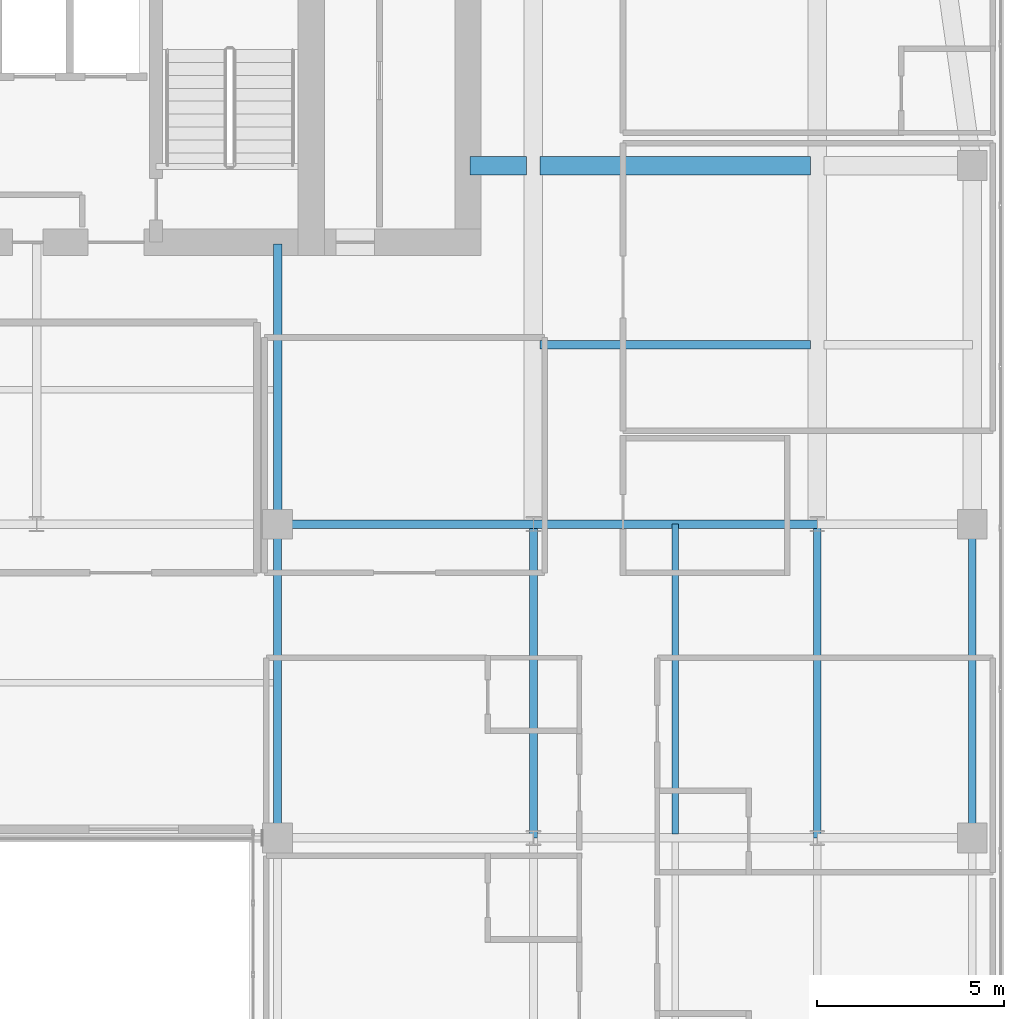
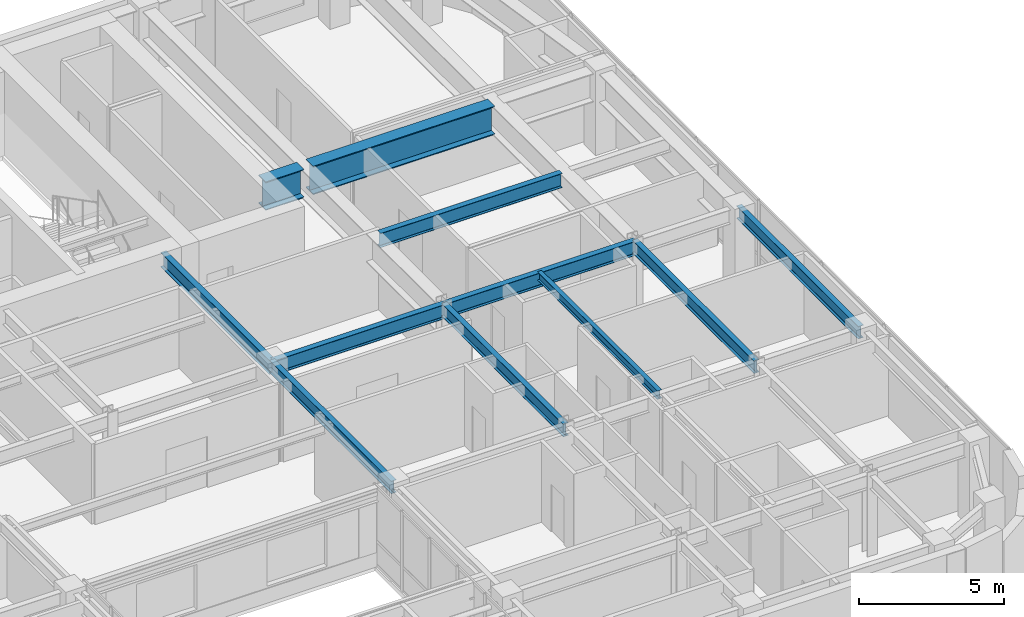
# One storey, part 9 of 26: 11 beams.
"""IFC4 building model written with IfcOpenShell, lengths in metres."""

from ifc_helpers import new_model, si_unit, direction, frame, origin, origin_2d, place, context, subcontext, project, spatial, i_section, extrude, source, transform, mapped, material, material_profile, profile_set, type_object, type_shapes, element, save


model = new_model("IFC4")

# Units and contexts
model_context = context("Model", 3, precision=1e-05, world=origin(), true_north=direction((0.0, 1.0)))
body_context = subcontext(model_context, "Body", "Model", "MODEL_VIEW")
ifc_project = project(units=[si_unit("LENGTHUNIT", "METRE"), si_unit("AREAUNIT", "SQUARE_METRE"), si_unit("VOLUMEUNIT", "CUBIC_METRE"), si_unit("PLANEANGLEUNIT", "RADIAN"), si_unit("MASSUNIT", "GRAM", prefix="KILO")], contexts=[model_context])

# Site, building, storey
site_placement = place(None, origin())
site = spatial("IfcSite", under=ifc_project, at=site_placement, CompositionType="ELEMENT")
building_placement = place(site_placement, origin())
building = spatial("IfcBuilding", under=site, at=building_placement, Name="Tolvann Quenvar Hotel", CompositionType="ELEMENT")
storey_placement = place(building_placement, frame((0.0, 0.0, 168.35009765625)))
storey = spatial("IfcBuildingStorey", under=building, at=storey_placement, Name="L44", CompositionType="ELEMENT", Elevation=168.35009765625)

# Beams
ifc_material = material(Name="Steel Grade 350", Category="steel")
ifc_material_profile_1 = material_profile(ifc_material, i_section(OverallWidth=0.208984375, OverallDepth=0.528076171875, WebThickness=0.009521484375, FlangeThickness=0.01318359375, FilletRadius=0.013916015625, at=origin_2d()), Name="530UB82")
ifc_profile_set_1 = profile_set([ifc_material_profile_1], Name="Steel Grade 350")
beam_type_1 = type_object("IfcBeamType", Name="BM_SPAND_530UB82", PredefinedType="SPANDREL", material=ifc_profile_set_1)
shared_shape_1 = source(origin(), body_context, "Body", "SweptSolid", [
    extrude(i_section(OverallWidth=0.208984375, OverallDepth=0.528076171875, WebThickness=0.009521484375, FlangeThickness=0.01318359375, FilletRadius=0.013916015625, at=origin_2d()), origin(), (0.0, 0.0, 1.0), 8.39990234375),
])
type_shapes(beam_type_1, [shared_shape_1])
beam_1_placement = place(storey_placement, frame((53.550048828125, 16.0, 3.10595703125), z_axis=(0.0, 1.0, 0.0), x_axis=(-1.0, 0.0, 0.0)))
element("IfcBeam", 1, at=beam_1_placement, inside=storey, type_object=beam_type_1, Name="BM-L44-NS-J4-J5", PredefinedType="SPANDREL", context=body_context, shape_type="MappedRepresentation", body=[
    mapped(shared_shape_1, transform((0.0, 0.0, 0.0), x_axis=(1.0, 0.0, 0.0), y_axis=(0.0, 1.0, 0.0), z_axis=(0.0, 0.0, 1.0), scale=1.0)),
])
ifc_material_profile_2 = material_profile(ifc_material, i_section(OverallWidth=0.208984375, OverallDepth=0.532958984375, WebThickness=0.01025390625, FlangeThickness=0.015625, FilletRadius=0.013916015625, at=origin_2d()), Name="530UB92")
ifc_profile_set_2 = profile_set([ifc_material_profile_2], Name="Steel Grade 350")
beam_type_2 = type_object("IfcBeamType", Name="BM_GIRD_530UB92", PredefinedType="BEAM", material=ifc_profile_set_2)
shared_shape_2 = source(origin(), body_context, "Body", "SweptSolid", [
    extrude(i_section(OverallWidth=0.208984375, OverallDepth=0.532958984375, WebThickness=0.01025390625, FlangeThickness=0.015625, FilletRadius=0.013916015625, at=origin_2d()), origin(), (0.0, 0.0, 1.0), 8.39990234375),
])
type_shapes(beam_type_2, [shared_shape_2])
for number, where, z_axis, x_axis, name in (
    (2, (34.949951171875, 16.0, 3.103515625), (0.0, 1.0, 0.0), (-1.0, 0.0, 0.0), "BM-L44-NS-F4-F5"),
    (3, (41.800048828125, 16.0, 3.103515625), (0.0, 1.0, 0.0), (-1.0, 0.0, 0.0), "BM-L44-NS-H4-H5"),
    (4, (49.39990234375, 16.0, 3.103515625), (0.0, 1.0, 0.0), (-1.0, 0.0, 0.0), "BM-L44-NS-I4-I5"),
):
    element("IfcBeam", number, at=place(storey_placement, frame(where, z_axis=z_axis, x_axis=x_axis)), inside=storey, type_object=beam_type_2, Name=name, PredefinedType="BEAM", context=body_context, shape_type="MappedRepresentation", body=[
        mapped(shared_shape_2, transform((0.0, 0.0, 0.0), x_axis=(1.0, 0.0, 0.0), y_axis=(0.0, 1.0, 0.0), z_axis=(0.0, 0.0, 1.0), scale=1.0)),
    ])
ifc_material_profile_3 = material_profile(ifc_material, i_section(OverallWidth=0.5, OverallDepth=1.199951171875, WebThickness=0.01611328125, FlangeThickness=0.0400390625, at=origin_2d()), Name="1200WB455")
ifc_profile_set_3 = profile_set([ifc_material_profile_3], Name="Steel Grade 350")
beam_type_3 = type_object("IfcBeamType", Name="BM_TG_1200WB455", PredefinedType="USERDEFINED", material=ifc_profile_set_3)
shared_shape_3 = source(origin(), body_context, "Body", "SweptSolid", [
    extrude(i_section(OverallWidth=0.5, OverallDepth=1.199951171875, WebThickness=0.01611328125, FlangeThickness=0.0400390625, at=origin_2d()), origin(), (0.0, 0.0, 1.0), 1.52001953125),
])
beam_2_placement = place(storey_placement, frame((40.10009765625, 34.0, 2.77001953125), z_axis=(1.0, 0.0, 0.0), x_axis=(0.0, 1.0, 0.0)))
element("IfcBeam", 5, at=beam_2_placement, inside=storey, type_object=beam_type_3, Name="BM-L44-CTE-JD6A", ObjectType="TRANSFER GIRDER", PredefinedType="USERDEFINED", context=body_context, shape_type="MappedRepresentation", body=[
    mapped(shared_shape_3, transform((0.0, 0.0, 0.0), x_axis=(1.0, 0.0, 0.0), y_axis=(0.0, 1.0, 0.0), z_axis=(0.0, 0.0, 1.0), scale=1.0)),
])
shared_shape_4 = source(origin(), body_context, "Body", "SweptSolid", [
    extrude(i_section(OverallWidth=0.5, OverallDepth=1.199951171875, WebThickness=0.01611328125, FlangeThickness=0.0400390625, at=origin_2d()), origin(), (0.0, 0.0, 1.0), 7.239990234375),
])
type_shapes(beam_type_3, [shared_shape_3, shared_shape_4])
beam_3_placement = place(storey_placement, frame((41.97998046875, 34.0, 2.77001953125), z_axis=(1.0, 0.0, 0.0), x_axis=(0.0, 1.0, 0.0)))
element("IfcBeam", 6, at=beam_3_placement, inside=storey, type_object=beam_type_3, Name="BM-L44-CTE-JD6B", ObjectType="TRANSFER GIRDER", PredefinedType="USERDEFINED", context=body_context, shape_type="MappedRepresentation", body=[
    mapped(shared_shape_4, transform((0.0, 0.0, 0.0), x_axis=(1.0, 0.0, 0.0), y_axis=(0.0, 1.0, 0.0), z_axis=(0.0, 0.0, 1.0), scale=1.0)),
])
ifc_material_profile_4 = material_profile(ifc_material, i_section(OverallWidth=0.22802734375, OverallDepth=0.60205078125, WebThickness=0.010498046875, FlangeThickness=0.014892578125, FilletRadius=0.013916015625, at=origin_2d()), Name="610UB101")
ifc_profile_set_4 = profile_set([ifc_material_profile_4], Name="Steel Grade 350")
beam_type_4 = type_object("IfcBeamType", Name="BM_GIRD_610UB101", PredefinedType="BEAM", material=ifc_profile_set_4)
shared_shape_5 = source(origin(), body_context, "Body", "SweptSolid", [
    extrude(i_section(OverallWidth=0.22802734375, OverallDepth=0.60205078125, WebThickness=0.010498046875, FlangeThickness=0.014892578125, FilletRadius=0.013916015625, at=origin_2d()), origin(), (0.0, 0.0, 1.0), 7.599853515625),
])
beam_4_placement = place(storey_placement, frame((41.800048828125, 24.39990234375, 3.06884765625), z_axis=(1.0, 0.0, 0.0), x_axis=(0.0, 1.0, 0.0)))
element("IfcBeam", 7, at=beam_4_placement, inside=storey, type_object=beam_type_4, Name="BM-L44-EW-5-H5-I5", PredefinedType="BEAM", context=body_context, shape_type="MappedRepresentation", body=[
    mapped(shared_shape_5, transform((0.0, 0.0, 0.0), x_axis=(1.0, 0.0, 0.0), y_axis=(0.0, 1.0, 0.0), z_axis=(0.0, 0.0, 1.0), scale=1.0)),
])
shared_shape_6 = source(origin(), body_context, "Body", "SweptSolid", [
    extrude(i_section(OverallWidth=0.22802734375, OverallDepth=0.60205078125, WebThickness=0.010498046875, FlangeThickness=0.014892578125, FilletRadius=0.013916015625, at=origin_2d()), origin(), (0.0, 0.0, 1.0), 6.85009765625),
])
beam_5_placement = place(storey_placement, frame((34.949951171875, 24.39990234375, 3.06884765625), z_axis=(1.0, 0.0, 0.0), x_axis=(0.0, 1.0, 0.0)))
element("IfcBeam", 8, at=beam_5_placement, inside=storey, type_object=beam_type_4, Name="BM-L44-EW-5-F5-H5", PredefinedType="BEAM", context=body_context, shape_type="MappedRepresentation", body=[
    mapped(shared_shape_6, transform((0.0, 0.0, 0.0), x_axis=(1.0, 0.0, 0.0), y_axis=(0.0, 1.0, 0.0), z_axis=(0.0, 0.0, 1.0), scale=1.0)),
])
shared_shape_7 = source(origin(), body_context, "Body", "SweptSolid", [
    extrude(i_section(OverallWidth=0.22802734375, OverallDepth=0.60205078125, WebThickness=0.010498046875, FlangeThickness=0.014892578125, FilletRadius=0.013916015625, at=origin_2d()), origin(), (0.0, 0.0, 1.0), 7.5),
])
beam_6_placement = place(storey_placement, frame((34.949951171875, 24.39990234375, 3.06884765625), z_axis=(0.0, 1.0, 0.0), x_axis=(-1.0, 0.0, 0.0)))
element("IfcBeam", 9, at=beam_6_placement, inside=storey, type_object=beam_type_4, Name="BM-L44-CORE-F5", PredefinedType="BEAM", context=body_context, shape_type="MappedRepresentation", body=[
    mapped(shared_shape_7, transform((0.0, 0.0, 0.0), x_axis=(1.0, 0.0, 0.0), y_axis=(0.0, 1.0, 0.0), z_axis=(0.0, 0.0, 1.0), scale=1.0)),
])
shared_shape_8 = source(origin(), body_context, "Body", "SweptSolid", [
    extrude(i_section(OverallWidth=0.22802734375, OverallDepth=0.60205078125, WebThickness=0.010498046875, FlangeThickness=0.014892578125, FilletRadius=0.013916015625, at=origin_2d()), origin(), (0.0, 0.0, 1.0), 7.239990234375),
])
type_shapes(beam_type_4, [shared_shape_5, shared_shape_6, shared_shape_7, shared_shape_8])
beam_7_placement = place(storey_placement, frame((41.97998046875, 29.199951171875, 3.06884765625), z_axis=(1.0, 0.0, 0.0), x_axis=(0.0, 1.0, 0.0)))
element("IfcBeam", 10, at=beam_7_placement, inside=storey, type_object=beam_type_4, Name="BM-L44-EW-HI29", PredefinedType="BEAM", context=body_context, shape_type="MappedRepresentation", body=[
    mapped(shared_shape_8, transform((0.0, 0.0, 0.0), x_axis=(1.0, 0.0, 0.0), y_axis=(0.0, 1.0, 0.0), z_axis=(0.0, 0.0, 1.0), scale=1.0)),
])
ifc_material_profile_5 = material_profile(ifc_material, i_section(OverallWidth=0.172119140625, OverallDepth=0.35888671875, WebThickness=0.008056640625, FlangeThickness=0.012939453125, FilletRadius=0.011474609375, at=origin_2d()), Name="360UB57")
ifc_profile_set_5 = profile_set([ifc_material_profile_5], Name="Steel Grade 350")
beam_type_5 = type_object("IfcBeamType", Name="BM_JOIST_360UB57", PredefinedType="JOIST", material=ifc_profile_set_5)
shared_shape_9 = source(origin(), body_context, "Body", "SweptSolid", [
    extrude(i_section(OverallWidth=0.172119140625, OverallDepth=0.35888671875, WebThickness=0.008056640625, FlangeThickness=0.012939453125, FilletRadius=0.011474609375, at=origin_2d()), origin(), (0.0, 0.0, 1.0), 8.2919921875),
])
type_shapes(beam_type_5, [shared_shape_9])
beam_8_placement = place(storey_placement, frame((45.60009765625, 16.10791015625, 3.1904296875), z_axis=(0.0, 1.0, 0.0), x_axis=(-1.0, 0.0, 0.0)))
element("IfcBeam", 11, at=beam_8_placement, inside=storey, type_object=beam_type_5, Name="BJ-L44-456-160", PredefinedType="JOIST", context=body_context, shape_type="MappedRepresentation", body=[
    mapped(shared_shape_9, transform((0.0, 0.0, 0.0), x_axis=(1.0, 0.0, 0.0), y_axis=(0.0, 1.0, 0.0), z_axis=(0.0, 0.0, 1.0), scale=1.0)),
])

save(model, "model.ifc")
